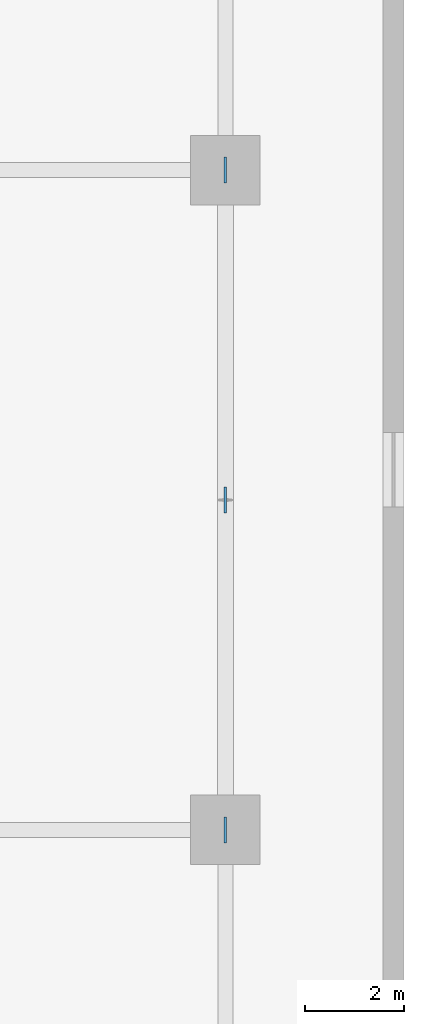
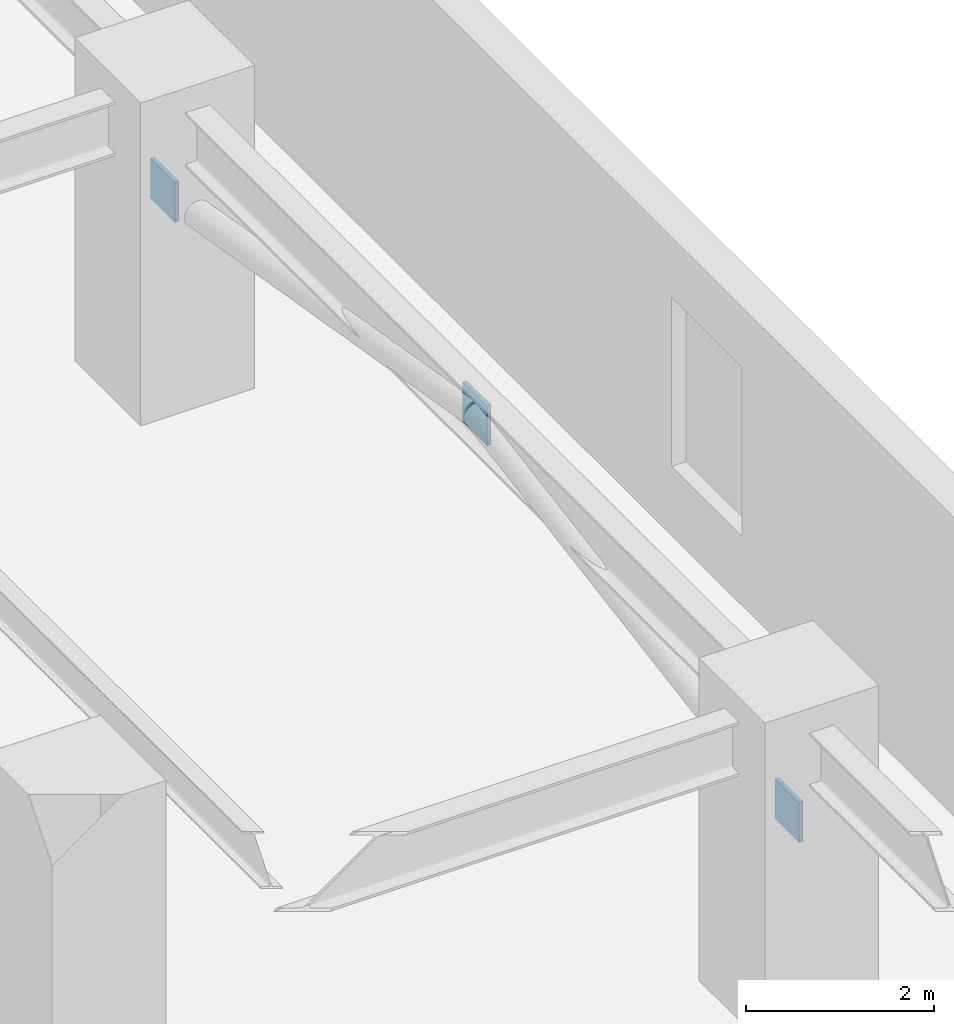
# One storey, part 14 of 22: 3 discrete accessories.
"""IFC4 building model written with IfcOpenShell, lengths in metres."""

from ifc_helpers import new_model, si_unit, direction, frame, origin, origin_2d, place, context, subcontext, project, spatial, rectangle, extrude, material, type_object, element, save


model = new_model("IFC4")

# Units and contexts
model_context = context("Model", 3, precision=1e-05, world=origin(), true_north=direction((0.0, 1.0)))
body_context = subcontext(model_context, "Body", "Model", "MODEL_VIEW")
ifc_project = project(units=[si_unit("LENGTHUNIT", "METRE"), si_unit("AREAUNIT", "SQUARE_METRE"), si_unit("VOLUMEUNIT", "CUBIC_METRE"), si_unit("PLANEANGLEUNIT", "RADIAN"), si_unit("MASSUNIT", "GRAM", prefix="KILO")], contexts=[model_context])

# Site, building, storey
site_placement = place(None, origin())
site = spatial("IfcSite", under=ifc_project, at=site_placement, CompositionType="ELEMENT")
building_placement = place(site_placement, origin())
building = spatial("IfcBuilding", under=site, at=building_placement, Name="Narakoshi Arena Tower", CompositionType="ELEMENT")
storey_placement = place(building_placement, frame((0.0, 0.0, 13.199951171875)))
storey = spatial("IfcBuildingStorey", under=building, at=storey_placement, Name="L03", CompositionType="ELEMENT", Elevation=13.199951171875)

# Discrete accessories
ifc_material = material(Name="Structural steel S460ML", Category="steel")
discrete_accessory_type = type_object("IfcDiscreteAccessoryType", Name="ACC-GUS-PLT", PredefinedType="BRACKET", material=ifc_material)
for number, where, z_axis, x_axis, name in (
    (1, (122.39990234375, 34.699951171875, 2.14013671875), (0.0, 0.0, 1.0), (0.0, 1.0, 0.0), "L03 Brace Node Gusset Plate 0034"),
    (2, (122.39990234375, 41.35009765625, 3.27001953125), (0.0, 0.0, 1.0), (0.0, 1.0, 0.0), "L03 Brace Node Gusset Plate 0035"),
    (3, (122.39990234375, 48.0, 2.14013671875), (0.0, 0.0, 1.0), (0.0, 1.0, 0.0), "L03 Brace Node Gusset Plate 0036"),
):
    element("IfcDiscreteAccessory", number, at=place(storey_placement, frame(where, z_axis=z_axis, x_axis=x_axis)), inside=storey, type_object=discrete_accessory_type, Name=name, PredefinedType="BRACKET", context=body_context, shape_type="SweptSolid", body=[
        extrude(rectangle(XDim=0.52001953125, YDim=0.050048828125, at=origin_2d()), origin(), (0.0, 0.0, 1.0), 0.52001953125),
    ])

save(model, "model.ifc")
